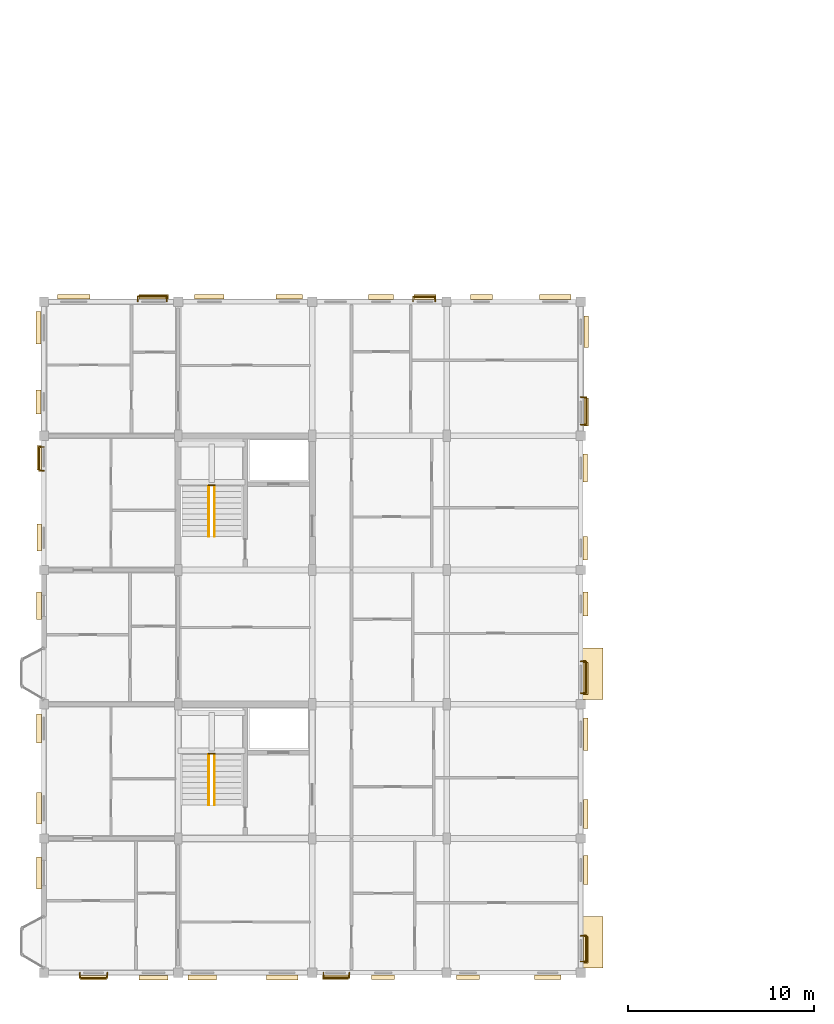
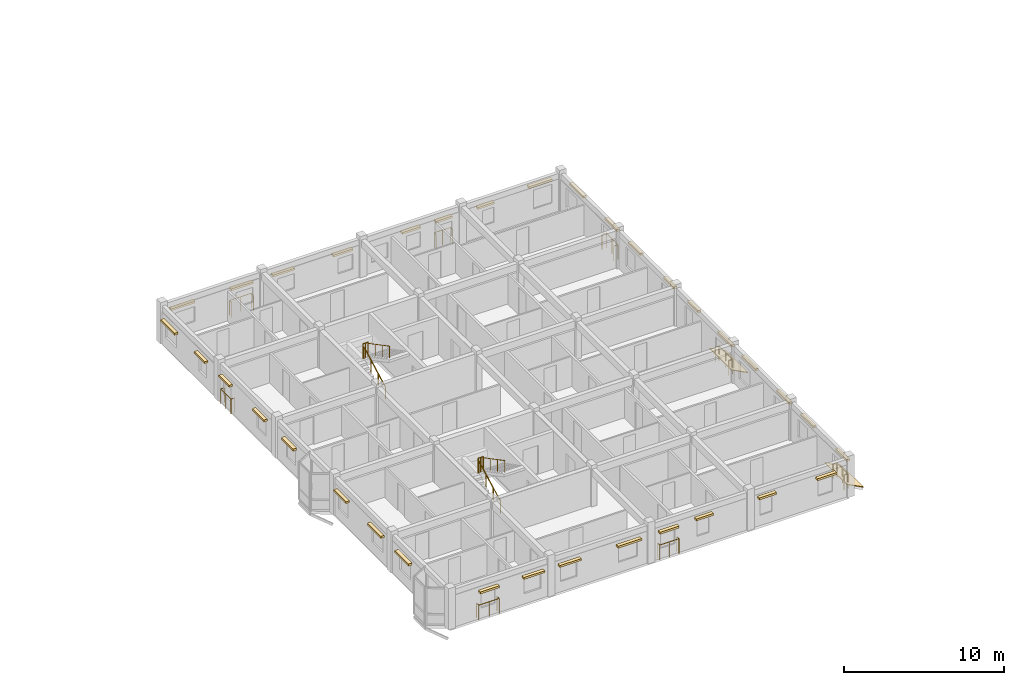
# One storey, part 33 of 38: 36 coverings, 14 railings.
"""IFC4 building model written with IfcOpenShell, lengths in metres."""

from ifc_helpers import new_model, si_unit, direction, frame, origin, origin_2d, place, context, subcontext, project, spatial, polyline, rectangle, circle, outline, extrude, material, layer, layer_set, type_object, element, save


model = new_model("IFC4")

# Units and contexts
model_context = context("Model", 3, precision=1e-05, world=origin(), true_north=direction((0.0, 1.0)))
body_context = subcontext(model_context, "Body", "Model", "MODEL_VIEW")
ifc_project = project(units=[si_unit("LENGTHUNIT", "METRE"), si_unit("AREAUNIT", "SQUARE_METRE"), si_unit("VOLUMEUNIT", "CUBIC_METRE"), si_unit("PLANEANGLEUNIT", "RADIAN"), si_unit("MASSUNIT", "GRAM", prefix="KILO"), si_unit("THERMODYNAMICTEMPERATUREUNIT", "KELVIN"), si_unit("POWERUNIT", "WATT")], contexts=[model_context])

# Site, building, storey
site_placement = place(None, origin())
site = spatial("IfcSite", under=ifc_project, at=site_placement, CompositionType="ELEMENT")
building_placement = place(site_placement, origin())
building = spatial("IfcBuilding", under=site, at=building_placement, Name="Tavuni Mirador Residences", CompositionType="ELEMENT")
storey_placement = place(building_placement, frame((0.0, 0.0, 32.85009765625)))
storey = spatial("IfcBuildingStorey", under=building, at=storey_placement, Name="L10", CompositionType="ELEMENT", Elevation=32.85009765625)

# Coverings
ifc_material_1 = material(Name="Natural coral limestone", Category="masonry")
ifc_layer_1 = layer(ifc_material_1, 0.054931640625, Name="Natural coral limestone", Category="masonry")
ifc_layer_set_1 = layer_set([ifc_layer_1], Name="Natural coral limestone")
covering_type_1 = type_object("IfcCoveringType", Name="CVT-CLAD-CORAL", PredefinedType="CLADDING", material=ifc_layer_set_1)
covering_1_placement = place(storey_placement, frame((6.264892578125, 6.93310546875, 2.06494140625), z_axis=(0.0, 0.0, 1.0), x_axis=(1.0, 0.0, 0.0)))
element("IfcCovering", 1, at=covering_1_placement, inside=storey, type_object=covering_type_1, Name="HOOD-0211", PredefinedType="CLADDING", context=body_context, shape_type="SweptSolid", body=[
    extrude(rectangle(XDim=1.3798828125, YDim=0.25, at=origin_2d()), origin(), (0.0, 0.0, 1.0), 0.14990234375),
])
for number, where, z_axis, x_axis, name in (
    (2, (9.47509765625, 6.93310546875, 2.06494140625), (0.0, 0.0, 1.0), (1.0, 0.0, 0.0), "HOOD-0212"),
    (3, (12.10009765625, 6.9404296875, 2.06494140625), (0.0, 0.0, 1.0), (1.0, 0.0, 0.0), "HOOD-0213"),
):
    element("IfcCovering", number, at=place(storey_placement, frame(where, z_axis=z_axis, x_axis=x_axis)), inside=storey, type_object=covering_type_1, Name=name, PredefinedType="CLADDING", context=body_context, shape_type="SweptSolid", body=[
        extrude(rectangle(XDim=1.5400390625, YDim=0.25, at=origin_2d()), origin(), (0.0, 0.0, 1.0), 0.14990234375),
    ])
covering_2_placement = place(storey_placement, frame((16.3798828125, 6.9404296875, 2.06494140625), z_axis=(0.0, 0.0, 1.0), x_axis=(1.0, 0.0, 0.0)))
element("IfcCovering", 4, at=covering_2_placement, inside=storey, type_object=covering_type_1, Name="HOOD-0214", PredefinedType="CLADDING", context=body_context, shape_type="SweptSolid", body=[
    extrude(rectangle(XDim=1.699951171875, YDim=0.25, at=origin_2d()), origin(), (0.0, 0.0, 1.0), 0.14990234375),
])
covering_3_placement = place(storey_placement, frame((19.2451171875, 6.950439453125, 2.06494140625), z_axis=(0.0, 0.0, 1.0), x_axis=(1.0, 0.0, 0.0)))
element("IfcCovering", 5, at=covering_3_placement, inside=storey, type_object=covering_type_1, Name="HOOD-0215", PredefinedType="CLADDING", context=body_context, shape_type="SweptSolid", body=[
    extrude(rectangle(XDim=1.3798828125, YDim=0.25, at=origin_2d()), origin(), (0.0, 0.0, 1.0), 0.14990234375),
])
for number, where, z_axis, x_axis, name in (
    (6, (21.800048828125, 6.950439453125, 2.1650390625), (0.0, 0.0, 1.0), (1.0, 0.0, 0.0), "HOOD-0216"),
    (7, (26.35009765625, 6.95556640625, 2.1650390625), (0.0, 0.0, 1.0), (1.0, 0.0, 0.0), "HOOD-0217"),
):
    element("IfcCovering", number, at=place(storey_placement, frame(where, z_axis=z_axis, x_axis=x_axis)), inside=storey, type_object=covering_type_1, Name=name, PredefinedType="CLADDING", context=body_context, shape_type="SweptSolid", body=[
        extrude(rectangle(XDim=1.239990234375, YDim=0.25, at=origin_2d()), origin(), (0.0, 0.0, 1.0), 0.14990234375),
    ])
for number, where, z_axis, x_axis, name in (
    (8, (30.6298828125, 6.95556640625, 2.1650390625), (0.0, 0.0, 1.0), (1.0, 0.0, 0.0), "HOOD-0218"),
    (9, (32.6669921875, 8.429931640625, 2.1650390625), (0.0, 0.0, 1.0), (0.0, 1.0, 0.0), "HOOD-0219"),
):
    element("IfcCovering", number, at=place(storey_placement, frame(where, z_axis=z_axis, x_axis=x_axis)), inside=storey, type_object=covering_type_1, Name=name, PredefinedType="CLADDING", context=body_context, shape_type="SweptSolid", body=[
        extrude(rectangle(XDim=1.39990234375, YDim=0.25, at=origin_2d()), origin(), (0.0, 0.0, 1.0), 0.14990234375),
    ])
for number, where, z_axis, x_axis, name in (
    (10, (32.6669921875, 12.7099609375, 2.1650390625), (0.0, 0.0, 1.0), (0.0, 1.0, 0.0), "HOOD-0220"),
    (11, (32.659423828125, 15.7099609375, 2.1650390625), (0.0, 0.0, 1.0), (0.0, 1.0, 0.0), "HOOD-0221"),
):
    element("IfcCovering", number, at=place(storey_placement, frame(where, z_axis=z_axis, x_axis=x_axis)), inside=storey, type_object=covering_type_1, Name=name, PredefinedType="CLADDING", context=body_context, shape_type="SweptSolid", body=[
        extrude(rectangle(XDim=1.56005859375, YDim=0.25, at=origin_2d()), origin(), (0.0, 0.0, 1.0), 0.14990234375),
    ])
for number, where, z_axis, x_axis, name in (
    (12, (32.659423828125, 19.989990234375, 2.1650390625), (0.0, 0.0, 1.0), (0.0, 1.0, 0.0), "HOOD-0222"),
    (13, (32.6494140625, 22.989990234375, 2.1650390625), (0.0, 0.0, 1.0), (0.0, 1.0, 0.0), "HOOD-0223"),
):
    element("IfcCovering", number, at=place(storey_placement, frame(where, z_axis=z_axis, x_axis=x_axis)), inside=storey, type_object=covering_type_1, Name=name, PredefinedType="CLADDING", context=body_context, shape_type="SweptSolid", body=[
        extrude(rectangle(XDim=1.719970703125, YDim=0.25, at=origin_2d()), origin(), (0.0, 0.0, 1.0), 0.14990234375),
    ])
for number, where, z_axis, x_axis, name in (
    (14, (32.6494140625, 26.969970703125, 2.244873046875), (0.0, 0.0, 1.0), (0.0, 1.0, 0.0), "HOOD-0224"),
    (15, (32.64453125, 29.969970703125, 2.244873046875), (0.0, 0.0, 1.0), (0.0, 1.0, 0.0), "HOOD-0225"),
):
    element("IfcCovering", number, at=place(storey_placement, frame(where, z_axis=z_axis, x_axis=x_axis)), inside=storey, type_object=covering_type_1, Name=name, PredefinedType="CLADDING", context=body_context, shape_type="SweptSolid", body=[
        extrude(rectangle(XDim=1.280029296875, YDim=0.25, at=origin_2d()), origin(), (0.0, 0.0, 1.0), 0.14990234375),
    ])
for number, where, z_axis, x_axis, name in (
    (16, (32.64453125, 34.27490234375, 2.244873046875), (0.0, 0.0, 1.0), (0.0, 1.0, 0.0), "HOOD-0226"),
    (17, (32.68701171875, 37.27490234375, 2.244873046875), (0.0, 0.0, 1.0), (0.0, 1.0, 0.0), "HOOD-0227"),
):
    element("IfcCovering", number, at=place(storey_placement, frame(where, z_axis=z_axis, x_axis=x_axis)), inside=storey, type_object=covering_type_1, Name=name, PredefinedType="CLADDING", context=body_context, shape_type="SweptSolid", body=[
        extrude(rectangle(XDim=1.489990234375, YDim=0.25, at=origin_2d()), origin(), (0.0, 0.0, 1.0), 0.14990234375),
    ])
for number, where, z_axis, x_axis, name in (
    (18, (32.68701171875, 41.574951171875, 2.244873046875), (0.0, 0.0, 1.0), (0.0, 1.0, 0.0), "HOOD-0228"),
    (19, (31.02490234375, 43.444580078125, 2.244873046875), (0.0, 0.0, 1.0), (-1.0, 0.0, 0.0), "HOOD-0229"),
):
    element("IfcCovering", number, at=place(storey_placement, frame(where, z_axis=z_axis, x_axis=x_axis)), inside=storey, type_object=covering_type_1, Name=name, PredefinedType="CLADDING", context=body_context, shape_type="SweptSolid", body=[
        extrude(rectangle(XDim=1.68994140625, YDim=0.25, at=origin_2d()), origin(), (0.0, 0.0, 1.0), 0.14990234375),
    ])
for number, where, z_axis, x_axis, name in (
    (20, (27.074951171875, 43.444580078125, 1.954833984375), (0.0, 0.0, 1.0), (-1.0, 0.0, 0.0), "HOOD-0230"),
    (21, (24.044921875, 43.449462890625, 1.954833984375), (0.0, 0.0, 1.0), (-1.0, 0.0, 0.0), "HOOD-0231"),
):
    element("IfcCovering", number, at=place(storey_placement, frame(where, z_axis=z_axis, x_axis=x_axis)), inside=storey, type_object=covering_type_1, Name=name, PredefinedType="CLADDING", context=body_context, shape_type="SweptSolid", body=[
        extrude(rectangle(XDim=1.18994140625, YDim=0.25, at=origin_2d()), origin(), (0.0, 0.0, 1.0), 0.14990234375),
    ])
covering_4_placement = place(storey_placement, frame((21.68994140625, 43.449462890625, 1.954833984375), z_axis=(0.0, 0.0, 1.0), x_axis=(-1.0, 0.0, 0.0)))
element("IfcCovering", 22, at=covering_4_placement, inside=storey, type_object=covering_type_1, Name="HOOD-0232", PredefinedType="CLADDING", context=body_context, shape_type="SweptSolid", body=[
    extrude(rectangle(XDim=1.340087890625, YDim=0.25, at=origin_2d()), origin(), (0.0, 0.0, 1.0), 0.14990234375),
])
covering_5_placement = place(storey_placement, frame((16.760009765625, 43.45947265625, 1.954833984375), z_axis=(0.0, 0.0, 1.0), x_axis=(-1.0, 0.0, 0.0)))
element("IfcCovering", 23, at=covering_5_placement, inside=storey, type_object=covering_type_1, Name="HOOD-0233", PredefinedType="CLADDING", context=body_context, shape_type="SweptSolid", body=[
    extrude(rectangle(XDim=1.419921875, YDim=0.25, at=origin_2d()), origin(), (0.0, 0.0, 1.0), 0.14990234375),
])
for number, where, z_axis, x_axis, name in (
    (24, (12.47998046875, 43.45947265625, 1.954833984375), (0.0, 0.0, 1.0), (-1.0, 0.0, 0.0), "HOOD-0234"),
    (25, (9.47998046875, 43.467041015625, 1.954833984375), (0.0, 0.0, 1.0), (-1.0, 0.0, 0.0), "HOOD-0235"),
):
    element("IfcCovering", number, at=place(storey_placement, frame(where, z_axis=z_axis, x_axis=x_axis)), inside=storey, type_object=covering_type_1, Name=name, PredefinedType="CLADDING", context=body_context, shape_type="SweptSolid", body=[
        extrude(rectangle(XDim=1.580078125, YDim=0.25, at=origin_2d()), origin(), (0.0, 0.0, 1.0), 0.14990234375),
    ])
for number, where, z_axis, x_axis, name in (
    (26, (5.199951171875, 43.467041015625, 1.954833984375), (0.0, 0.0, 1.0), (-1.0, 0.0, 0.0), "HOOD-0236"),
    (27, (3.31298828125, 41.800048828125, 1.954833984375), (0.0, 0.0, 1.0), (0.0, -1.0, 0.0), "HOOD-0237"),
):
    element("IfcCovering", number, at=place(storey_placement, frame(where, z_axis=z_axis, x_axis=x_axis)), inside=storey, type_object=covering_type_1, Name=name, PredefinedType="CLADDING", context=body_context, shape_type="SweptSolid", body=[
        extrude(rectangle(XDim=1.739990234375, YDim=0.25, at=origin_2d()), origin(), (0.0, 0.0, 1.0), 0.14990234375),
    ])
for number, where, z_axis, x_axis, name in (
    (28, (3.31298828125, 37.820068359375, 2.06494140625), (0.0, 0.0, 1.0), (0.0, -1.0, 0.0), "HOOD-0238"),
    (29, (3.35546875, 34.820068359375, 2.06494140625), (0.0, 0.0, 1.0), (0.0, -1.0, 0.0), "HOOD-0239"),
):
    element("IfcCovering", number, at=place(storey_placement, frame(where, z_axis=z_axis, x_axis=x_axis)), inside=storey, type_object=covering_type_1, Name=name, PredefinedType="CLADDING", context=body_context, shape_type="SweptSolid", body=[
        extrude(rectangle(XDim=1.300048828125, YDim=0.25, at=origin_2d()), origin(), (0.0, 0.0, 1.0), 0.14990234375),
    ])
covering_6_placement = place(storey_placement, frame((3.35546875, 30.5400390625, 2.06494140625), z_axis=(0.0, 0.0, 1.0), x_axis=(0.0, -1.0, 0.0)))
element("IfcCovering", 30, at=covering_6_placement, inside=storey, type_object=covering_type_1, Name="HOOD-0240", PredefinedType="CLADDING", context=body_context, shape_type="SweptSolid", body=[
    extrude(rectangle(XDim=1.4599609375, YDim=0.25, at=origin_2d()), origin(), (0.0, 0.0, 1.0), 0.14990234375),
])
covering_7_placement = place(storey_placement, frame((3.345458984375, 26.8798828125, 2.06005859375), z_axis=(0.0, 0.0, 1.0), x_axis=(0.0, -1.0, 0.0)))
element("IfcCovering", 31, at=covering_7_placement, inside=storey, type_object=covering_type_1, Name="HOOD-0241", PredefinedType="CLADDING", context=body_context, shape_type="SweptSolid", body=[
    extrude(rectangle(XDim=1.47998046875, YDim=0.260009765625, at=origin_2d()), origin(), (0.0, 0.0, 1.0), 0.159912109375),
])
covering_8_placement = place(storey_placement, frame((3.340576171875, 20.300048828125, 2.06494140625), z_axis=(0.0, 0.0, 1.0), x_axis=(0.0, -1.0, 0.0)))
element("IfcCovering", 32, at=covering_8_placement, inside=storey, type_object=covering_type_1, Name="HOOD-0242", PredefinedType="CLADDING", context=body_context, shape_type="SweptSolid", body=[
    extrude(rectangle(XDim=1.5400390625, YDim=0.25, at=origin_2d()), origin(), (0.0, 0.0, 1.0), 0.14990234375),
])
covering_9_placement = place(storey_placement, frame((3.340576171875, 16.02001953125, 2.06494140625), z_axis=(0.0, 0.0, 1.0), x_axis=(0.0, -1.0, 0.0)))
element("IfcCovering", 33, at=covering_9_placement, inside=storey, type_object=covering_type_1, Name="HOOD-0243", PredefinedType="CLADDING", context=body_context, shape_type="SweptSolid", body=[
    extrude(rectangle(XDim=1.699951171875, YDim=0.25, at=origin_2d()), origin(), (0.0, 0.0, 1.0), 0.14990234375),
])
covering_10_placement = place(storey_placement, frame((3.327880859375, 12.550048828125, 2.06005859375), z_axis=(0.0, 0.0, 1.0), x_axis=(0.0, -1.0, 0.0)))
element("IfcCovering", 34, at=covering_10_placement, inside=storey, type_object=covering_type_1, Name="HOOD-0244", PredefinedType="CLADDING", context=body_context, shape_type="SweptSolid", body=[
    extrude(rectangle(XDim=1.719970703125, YDim=0.260009765625, at=origin_2d()), origin(), (0.0, 0.0, 1.0), 0.159912109375),
])
ifc_material_2 = material(Name="Glazed ceramic roof tile", Category="masonry")
ifc_layer_2 = layer(ifc_material_2, 0.044921875, Name="Glazed ceramic roof tile", Category="masonry")
ifc_layer_set_2 = layer_set([ifc_layer_2], Name="Glazed ceramic roof tile")
covering_type_2 = type_object("IfcCoveringType", Name="CVT-ROOF-TILE", PredefinedType="ROOFING", material=ifc_layer_set_2)
for number, where, z_axis, x_axis, name in (
    (35, (32.39990234375, 7.449951171875, 0.664794921875), (0.458886902548, 0.0, 0.888494688037), (0.0, 1.0, 0.0), "COV-RF-MIR-A-E1"),
    (36, (32.39990234375, 21.85009765625, 0.664794921875), (0.458886902548, 0.0, 0.888494688037), (0.0, 1.0, 0.0), "COV-RF-MIR-A-E2"),
):
    element("IfcCovering", number, at=place(storey_placement, frame(where, z_axis=z_axis, x_axis=x_axis)), inside=storey, type_object=covering_type_2, Name=name, PredefinedType="ROOFING", context=body_context, shape_type="SweptSolid", body=[
        extrude(outline(polyline([(0.0, 0.0), (2.77001953125, 0.0), (2.77001953125, -1.3508187822165745), (0.0, -1.3508187822165745), (0.0, 0.0)])), origin(), (0.0, 0.0, -1.0), 0.044921875),
    ])

# Railings
ifc_material_3 = material(Name="Structural steel S355", Category="steel")
railing_type_1 = type_object("IfcRailingType", Name="RT-BL1150", PredefinedType="BALUSTRADE", material=ifc_material_3)
railing_1_placement = place(storey_placement, frame((5.52490234375, 7.199951171875, 0.039794921875)))
element("IfcRailing", 37, at=railing_1_placement, inside=storey, type_object=railing_type_1, Name="BALC-BLK-A-L10-S00", PredefinedType="BALUSTRADE", context=body_context, shape_type="SweptSolid", body=[
    extrude(circle(Radius=0.02392578125, at=origin_2d()), frame((0.0, 0.0, 1.1259765625), z_axis=(0.0, -1.0, 0.0), x_axis=(1.0, 0.0, 0.0)), (0.0, 0.0, 1.0), 0.284912109375),
    extrude(circle(Radius=0.02392578125, at=origin_2d()), frame((0.0, -0.284912109375, 1.1259765625), z_axis=(1.0, 0.0, 0.0), x_axis=(0.0, 1.0, 0.0)), (0.0, 0.0, 1.0), 1.47998046875),
    extrude(circle(Radius=0.02392578125, at=origin_2d()), frame((1.47998046875, -0.284912109375, 1.1259765625), z_axis=(0.0, 1.0, 0.0), x_axis=(-1.0, 0.0, 0.0)), (0.0, 0.0, 1.0), 0.284912109375),
    extrude(circle(Radius=0.02099609375, at=origin_2d()), origin(), (0.0, 0.0, 1.0), 1.101806640625),
    extrude(circle(Radius=0.02099609375, at=origin_2d()), frame((0.0, -0.284912109375, 0.0)), (0.0, 0.0, 1.0), 1.101806640625),
    extrude(circle(Radius=0.02099609375, at=origin_2d()), frame((0.739990234375, -0.284912109375, 0.0)), (0.0, 0.0, 1.0), 1.101806640625),
    extrude(circle(Radius=0.02099609375, at=origin_2d()), frame((1.47998046875, -0.284912109375, 0.0)), (0.0, 0.0, 1.0), 1.101806640625),
    extrude(circle(Radius=0.02099609375, at=origin_2d()), frame((1.47998046875, 0.0, 0.0)), (0.0, 0.0, 1.0), 1.101806640625),
])
railing_2_placement = place(storey_placement, frame((18.60009765625, 7.199951171875, 0.039794921875)))
element("IfcRailing", 38, at=railing_2_placement, inside=storey, type_object=railing_type_1, Name="BALC-BLK-A-L10-S02", PredefinedType="BALUSTRADE", context=body_context, shape_type="SweptSolid", body=[
    extrude(circle(Radius=0.02392578125, at=origin_2d()), frame((0.0, 0.0, 1.1259765625), z_axis=(0.0, -1.0, 0.0), x_axis=(1.0, 0.0, 0.0)), (0.0, 0.0, 1.0), 0.267333984375),
    extrude(circle(Radius=0.02392578125, at=origin_2d()), frame((0.0, -0.267333984375, 1.1259765625), z_axis=(1.0, 0.0, 0.0), x_axis=(0.0, 1.0, 0.0)), (0.0, 0.0, 1.0), 1.385009765625),
    extrude(circle(Radius=0.02392578125, at=origin_2d()), frame((1.385009765625, -0.267333984375, 1.1259765625), z_axis=(0.0, 1.0, 0.0), x_axis=(-1.0, 0.0, 0.0)), (0.0, 0.0, 1.0), 0.267333984375),
    extrude(circle(Radius=0.02099609375, at=origin_2d()), origin(), (0.0, 0.0, 1.0), 1.101806640625),
    extrude(circle(Radius=0.02099609375, at=origin_2d()), frame((0.0, -0.267333984375, 0.0)), (0.0, 0.0, 1.0), 1.101806640625),
    extrude(circle(Radius=0.02099609375, at=origin_2d()), frame((0.6923828125, -0.267333984375, 0.0)), (0.0, 0.0, 1.0), 1.101806640625),
    extrude(circle(Radius=0.02099609375, at=origin_2d()), frame((1.385009765625, -0.267333984375, 0.0)), (0.0, 0.0, 1.0), 1.101806640625),
    extrude(circle(Radius=0.02099609375, at=origin_2d()), frame((1.385009765625, 0.0, 0.0)), (0.0, 0.0, 1.0), 1.101806640625),
])
railing_3_placement = place(storey_placement, frame((32.39990234375, 7.800048828125, 0.039794921875)))
element("IfcRailing", 39, at=railing_3_placement, inside=storey, type_object=railing_type_1, Name="BALC-BLK-A-L10-E00", PredefinedType="BALUSTRADE", context=body_context, shape_type="SweptSolid", body=[
    extrude(circle(Radius=0.02392578125, at=origin_2d()), frame((0.0, 0.0, 1.1259765625), z_axis=(1.0, 0.0, 0.0), x_axis=(0.0, 1.0, 0.0)), (0.0, 0.0, 1.0), 0.28515625),
    extrude(circle(Radius=0.02392578125, at=origin_2d()), frame((0.28515625, 0.0, 1.1259765625), z_axis=(0.0, 1.0, 0.0), x_axis=(-1.0, 0.0, 0.0)), (0.0, 0.0, 1.0), 1.3798828125),
    extrude(circle(Radius=0.02392578125, at=origin_2d()), frame((0.28515625, 1.3798828125, 1.1259765625), z_axis=(-1.0, 0.0, 0.0), x_axis=(0.0, -1.0, 0.0)), (0.0, 0.0, 1.0), 0.28515625),
    extrude(circle(Radius=0.02099609375, at=origin_2d()), origin(), (0.0, 0.0, 1.0), 1.101806640625),
    extrude(circle(Radius=0.02099609375, at=origin_2d()), frame((0.28515625, 0.0, 0.0)), (0.0, 0.0, 1.0), 1.101806640625),
    extrude(circle(Radius=0.02099609375, at=origin_2d()), frame((0.28515625, 0.68994140625, 0.0)), (0.0, 0.0, 1.0), 1.101806640625),
    extrude(circle(Radius=0.02099609375, at=origin_2d()), frame((0.28515625, 1.3798828125, 0.0)), (0.0, 0.0, 1.0), 1.101806640625),
    extrude(circle(Radius=0.02099609375, at=origin_2d()), frame((0.0, 1.3798828125, 0.0)), (0.0, 0.0, 1.0), 1.101806640625),
])
railing_4_placement = place(storey_placement, frame((32.39990234375, 22.199951171875, 0.039794921875)))
element("IfcRailing", 40, at=railing_4_placement, inside=storey, type_object=railing_type_1, Name="BALC-BLK-A-L10-E02", PredefinedType="BALUSTRADE", context=body_context, shape_type="SweptSolid", body=[
    extrude(circle(Radius=0.02392578125, at=origin_2d()), frame((0.0, 0.0, 1.1259765625), z_axis=(1.0, 0.0, 0.0), x_axis=(0.0, 1.0, 0.0)), (0.0, 0.0, 1.0), 0.267578125),
    extrude(circle(Radius=0.02392578125, at=origin_2d()), frame((0.267578125, 0.0, 1.1259765625), z_axis=(0.0, 1.0, 0.0), x_axis=(-1.0, 0.0, 0.0)), (0.0, 0.0, 1.0), 1.699951171875),
    extrude(circle(Radius=0.02392578125, at=origin_2d()), frame((0.267578125, 1.699951171875, 1.1259765625), z_axis=(-1.0, 0.0, 0.0), x_axis=(0.0, -1.0, 0.0)), (0.0, 0.0, 1.0), 0.267578125),
    extrude(circle(Radius=0.02099609375, at=origin_2d()), origin(), (0.0, 0.0, 1.0), 1.101806640625),
    extrude(circle(Radius=0.02099609375, at=origin_2d()), frame((0.267578125, 0.0, 0.0)), (0.0, 0.0, 1.0), 1.101806640625),
    extrude(circle(Radius=0.02099609375, at=origin_2d()), frame((0.267578125, 0.85009765625, 0.0)), (0.0, 0.0, 1.0), 1.101806640625),
    extrude(circle(Radius=0.02099609375, at=origin_2d()), frame((0.267578125, 1.699951171875, 0.0)), (0.0, 0.0, 1.0), 1.101806640625),
    extrude(circle(Radius=0.02099609375, at=origin_2d()), frame((0.0, 1.699951171875, 0.0)), (0.0, 0.0, 1.0), 1.101806640625),
])
railing_5_placement = place(storey_placement, frame((32.39990234375, 36.60009765625, 0.039794921875)))
element("IfcRailing", 41, at=railing_5_placement, inside=storey, type_object=railing_type_1, Name="BALC-BLK-A-L10-E04", PredefinedType="BALUSTRADE", context=body_context, shape_type="SweptSolid", body=[
    extrude(circle(Radius=0.02392578125, at=origin_2d()), frame((0.0, 0.0, 1.1259765625), z_axis=(1.0, 0.0, 0.0), x_axis=(0.0, 1.0, 0.0)), (0.0, 0.0, 1.0), 0.30517578125),
    extrude(circle(Radius=0.02392578125, at=origin_2d()), frame((0.30517578125, 0.0, 1.1259765625), z_axis=(0.0, 1.0, 0.0), x_axis=(-1.0, 0.0, 0.0)), (0.0, 0.0, 1.0), 1.469970703125),
    extrude(circle(Radius=0.02392578125, at=origin_2d()), frame((0.30517578125, 1.469970703125, 1.1259765625), z_axis=(-1.0, 0.0, 0.0), x_axis=(0.0, -1.0, 0.0)), (0.0, 0.0, 1.0), 0.30517578125),
    extrude(circle(Radius=0.02099609375, at=origin_2d()), origin(), (0.0, 0.0, 1.0), 1.101806640625),
    extrude(circle(Radius=0.02099609375, at=origin_2d()), frame((0.30517578125, 0.0, 0.0)), (0.0, 0.0, 1.0), 1.101806640625),
    extrude(circle(Radius=0.02099609375, at=origin_2d()), frame((0.30517578125, 0.73486328125, 0.0)), (0.0, 0.0, 1.0), 1.101806640625),
    extrude(circle(Radius=0.02099609375, at=origin_2d()), frame((0.30517578125, 1.469970703125, 0.0)), (0.0, 0.0, 1.0), 1.101806640625),
    extrude(circle(Radius=0.02099609375, at=origin_2d()), frame((0.0, 1.469970703125, 0.0)), (0.0, 0.0, 1.0), 1.101806640625),
])
railing_6_placement = place(storey_placement, frame((24.60009765625, 43.199951171875, 0.039794921875)))
element("IfcRailing", 42, at=railing_6_placement, inside=storey, type_object=railing_type_1, Name="BALC-BLK-A-L10-N02", PredefinedType="BALUSTRADE", context=body_context, shape_type="SweptSolid", body=[
    extrude(circle(Radius=0.02392578125, at=origin_2d()), frame((0.0, 0.0, 1.1259765625), z_axis=(0.0, 1.0, 0.0), x_axis=(-1.0, 0.0, 0.0)), (0.0, 0.0, 1.0), 0.267578125),
    extrude(circle(Radius=0.02392578125, at=origin_2d()), frame((0.0, 0.267578125, 1.1259765625), z_axis=(-1.0, 0.0, 0.0), x_axis=(0.0, -1.0, 0.0)), (0.0, 0.0, 1.0), 1.2001953125),
    extrude(circle(Radius=0.02392578125, at=origin_2d()), frame((-1.2001953125, 0.267578125, 1.1259765625), z_axis=(0.0, -1.0, 0.0), x_axis=(1.0, 0.0, 0.0)), (0.0, 0.0, 1.0), 0.267578125),
    extrude(circle(Radius=0.02099609375, at=origin_2d()), origin(), (0.0, 0.0, 1.0), 1.101806640625),
    extrude(circle(Radius=0.02099609375, at=origin_2d()), frame((0.0, 0.267578125, 0.0)), (0.0, 0.0, 1.0), 1.101806640625),
    extrude(circle(Radius=0.02099609375, at=origin_2d()), frame((-0.60009765625, 0.267578125, 0.0)), (0.0, 0.0, 1.0), 1.101806640625),
    extrude(circle(Radius=0.02099609375, at=origin_2d()), frame((-1.2001953125, 0.267578125, 0.0)), (0.0, 0.0, 1.0), 1.101806640625),
    extrude(circle(Radius=0.02099609375, at=origin_2d()), frame((-1.2001953125, 0.0, 0.0)), (0.0, 0.0, 1.0), 1.101806640625),
])
railing_7_placement = place(storey_placement, frame((10.199951171875, 43.199951171875, 0.039794921875)))
element("IfcRailing", 43, at=railing_7_placement, inside=storey, type_object=railing_type_1, Name="BALC-BLK-A-L10-N00", PredefinedType="BALUSTRADE", context=body_context, shape_type="SweptSolid", body=[
    extrude(circle(Radius=0.02392578125, at=origin_2d()), frame((0.0, 0.0, 1.1259765625), z_axis=(0.0, 1.0, 0.0), x_axis=(-1.0, 0.0, 0.0)), (0.0, 0.0, 1.0), 0.28515625),
    extrude(circle(Radius=0.02392578125, at=origin_2d()), frame((0.0, 0.28515625, 1.1259765625), z_axis=(-1.0, 0.0, 0.0), x_axis=(0.0, -1.0, 0.0)), (0.0, 0.0, 1.0), 1.56005859375),
    extrude(circle(Radius=0.02392578125, at=origin_2d()), frame((-1.56005859375, 0.28515625, 1.1259765625), z_axis=(0.0, -1.0, 0.0), x_axis=(1.0, 0.0, 0.0)), (0.0, 0.0, 1.0), 0.28515625),
    extrude(circle(Radius=0.02099609375, at=origin_2d()), origin(), (0.0, 0.0, 1.0), 1.101806640625),
    extrude(circle(Radius=0.02099609375, at=origin_2d()), frame((0.0, 0.28515625, 0.0)), (0.0, 0.0, 1.0), 1.101806640625),
    extrude(circle(Radius=0.02099609375, at=origin_2d()), frame((-0.780029296875, 0.28515625, 0.0)), (0.0, 0.0, 1.0), 1.101806640625),
    extrude(circle(Radius=0.02099609375, at=origin_2d()), frame((-1.56005859375, 0.28515625, 0.0)), (0.0, 0.0, 1.0), 1.101806640625),
    extrude(circle(Radius=0.02099609375, at=origin_2d()), frame((-1.56005859375, 0.0, 0.0)), (0.0, 0.0, 1.0), 1.101806640625),
])
railing_8_placement = place(storey_placement, frame((3.60009765625, 35.39990234375, 0.039794921875)))
element("IfcRailing", 44, at=railing_8_placement, inside=storey, type_object=railing_type_1, Name="BALC-BLK-A-L10-W03", PredefinedType="BALUSTRADE", context=body_context, shape_type="SweptSolid", body=[
    extrude(circle(Radius=0.02392578125, at=origin_2d()), frame((0.0, 0.0, 1.1259765625), z_axis=(-1.0, 0.0, 0.0), x_axis=(0.0, -1.0, 0.0)), (0.0, 0.0, 1.0), 0.2626953125),
    extrude(circle(Radius=0.02392578125, at=origin_2d()), frame((-0.2626953125, 0.0, 1.1259765625), z_axis=(0.0, -1.0, 0.0), x_axis=(1.0, 0.0, 0.0)), (0.0, 0.0, 1.0), 1.27978515625),
    extrude(circle(Radius=0.02392578125, at=origin_2d()), frame((-0.2626953125, -1.27978515625, 1.1259765625), z_axis=(1.0, 0.0, 0.0), x_axis=(0.0, 1.0, 0.0)), (0.0, 0.0, 1.0), 0.2626953125),
    extrude(circle(Radius=0.02099609375, at=origin_2d()), origin(), (0.0, 0.0, 1.0), 1.101806640625),
    extrude(circle(Radius=0.02099609375, at=origin_2d()), frame((-0.2626953125, 0.0, 0.0)), (0.0, 0.0, 1.0), 1.101806640625),
    extrude(circle(Radius=0.02099609375, at=origin_2d()), frame((-0.2626953125, -0.639892578125, 0.0)), (0.0, 0.0, 1.0), 1.101806640625),
    extrude(circle(Radius=0.02099609375, at=origin_2d()), frame((-0.2626953125, -1.27978515625, 0.0)), (0.0, 0.0, 1.0), 1.101806640625),
    extrude(circle(Radius=0.02099609375, at=origin_2d()), frame((0.0, -1.27978515625, 0.0)), (0.0, 0.0, 1.0), 1.101806640625),
])
railing_type_2 = type_object("IfcRailingType", Name="RT-GR1120", PredefinedType="GUARDRAIL", material=ifc_material_3)
for number, where, name in (
    (45, (12.419921875, 18.93994140625, 1.574951171875), "GRD-HL-ST1-L10"),
    (46, (12.419921875, 33.340087890625, 1.574951171875), "GRD-HL-ST2-L10"),
):
    element("IfcRailing", number, at=place(storey_placement, frame(where)), inside=storey, type_object=railing_type_2, Name=name, PredefinedType="GUARDRAIL", context=body_context, shape_type="SweptSolid", body=[
        extrude(circle(Radius=0.02392578125, at=origin_2d()), frame((0.0, 0.0, 1.09619140625), z_axis=(1.0, 0.0, 0.0), x_axis=(0.0, 1.0, 0.0)), (0.0, 0.0, 1.0), 0.360107421875),
        extrude(circle(Radius=0.02099609375, at=origin_2d()), origin(), (0.0, 0.0, 1.0), 1.072021484375),
        extrude(circle(Radius=0.02099609375, at=origin_2d()), frame((0.18017578125, 0.0, 0.0)), (0.0, 0.0, 1.0), 1.072021484375),
        extrude(circle(Radius=0.02099609375, at=origin_2d()), frame((0.360107421875, 0.0, 0.0)), (0.0, 0.0, 1.0), 1.072021484375),
    ])
railing_type_3 = type_object("IfcRailingType", Name="RT-HR920", PredefinedType="HANDRAIL", material=ifc_material_3)
railing_9_placement = place(storey_placement, frame((12.449951171875, 16.199951171875, 0.157470703125)))
element("IfcRailing", 47, at=railing_9_placement, inside=storey, type_object=railing_type_3, Name="HR-ST1-L10-F1", PredefinedType="HANDRAIL", context=body_context, shape_type="SweptSolid", body=[
    extrude(circle(Radius=0.02392578125, at=origin_2d()), frame((0.0, 0.0, 0.89599609375), z_axis=(0.0, 0.885397079081, 0.464835468048), x_axis=(-1.0, 0.0, 0.0)), (0.0, 0.0, 1.0), 3.04931640625),
    extrude(circle(Radius=0.02099609375, at=origin_2d()), origin(), (0.0, 0.0, 1.0), 0.871826171875),
    extrude(circle(Radius=0.02099609375, at=origin_2d()), frame((0.0, 0.89990234375, 0.472412109375)), (0.0, 0.0, 1.0), 0.871826171875),
    extrude(circle(Radius=0.02099609375, at=origin_2d()), frame((0.0, 1.800048828125, 0.945068359375)), (0.0, 0.0, 1.0), 0.871826171875),
    extrude(circle(Radius=0.02099609375, at=origin_2d()), frame((0.0, 2.699951171875, 1.41748046875)), (0.0, 0.0, 1.0), 0.871826171875),
])
railing_10_placement = place(storey_placement, frame((12.75, 18.89990234375, 1.732421875)))
element("IfcRailing", 48, at=railing_10_placement, inside=storey, type_object=railing_type_3, Name="HR-ST1-L10-F2", PredefinedType="HANDRAIL", context=body_context, shape_type="SweptSolid", body=[
    extrude(circle(Radius=0.02392578125, at=origin_2d()), frame((0.0, 0.0, 0.89599609375), z_axis=(0.0, -0.885397079081, 0.464835468048), x_axis=(1.0, 0.0, 0.0)), (0.0, 0.0, 1.0), 3.04931640625),
    extrude(circle(Radius=0.02099609375, at=origin_2d()), origin(), (0.0, 0.0, 1.0), 0.871826171875),
    extrude(circle(Radius=0.02099609375, at=origin_2d()), frame((0.0, -0.89990234375, 0.472412109375)), (0.0, 0.0, 1.0), 0.871826171875),
    extrude(circle(Radius=0.02099609375, at=origin_2d()), frame((0.0, -1.800048828125, 0.945068359375)), (0.0, 0.0, 1.0), 0.871826171875),
    extrude(circle(Radius=0.02099609375, at=origin_2d()), frame((0.0, -2.699951171875, 1.41748046875)), (0.0, 0.0, 1.0), 0.871826171875),
])
railing_11_placement = place(storey_placement, frame((12.449951171875, 30.60009765625, 0.157470703125)))
element("IfcRailing", 49, at=railing_11_placement, inside=storey, type_object=railing_type_3, Name="HR-ST2-L10-F1", PredefinedType="HANDRAIL", context=body_context, shape_type="SweptSolid", body=[
    extrude(circle(Radius=0.02392578125, at=origin_2d()), frame((0.0, 0.0, 0.89599609375), z_axis=(0.0, 0.885397079081, 0.464835468048), x_axis=(-1.0, 0.0, 0.0)), (0.0, 0.0, 1.0), 3.04931640625),
    extrude(circle(Radius=0.02099609375, at=origin_2d()), origin(), (0.0, 0.0, 1.0), 0.871826171875),
    extrude(circle(Radius=0.02099609375, at=origin_2d()), frame((0.0, 0.89990234375, 0.472412109375)), (0.0, 0.0, 1.0), 0.871826171875),
    extrude(circle(Radius=0.02099609375, at=origin_2d()), frame((0.0, 1.800048828125, 0.945068359375)), (0.0, 0.0, 1.0), 0.871826171875),
    extrude(circle(Radius=0.02099609375, at=origin_2d()), frame((0.0, 2.699951171875, 1.41748046875)), (0.0, 0.0, 1.0), 0.871826171875),
])
railing_12_placement = place(storey_placement, frame((12.75, 33.300048828125, 1.732421875)))
element("IfcRailing", 50, at=railing_12_placement, inside=storey, type_object=railing_type_3, Name="HR-ST2-L10-F2", PredefinedType="HANDRAIL", context=body_context, shape_type="SweptSolid", body=[
    extrude(circle(Radius=0.02392578125, at=origin_2d()), frame((0.0, 0.0, 0.89599609375), z_axis=(0.0, -0.885397079081, 0.464835468048), x_axis=(1.0, 0.0, 0.0)), (0.0, 0.0, 1.0), 3.04931640625),
    extrude(circle(Radius=0.02099609375, at=origin_2d()), origin(), (0.0, 0.0, 1.0), 0.871826171875),
    extrude(circle(Radius=0.02099609375, at=origin_2d()), frame((0.0, -0.89990234375, 0.472412109375)), (0.0, 0.0, 1.0), 0.871826171875),
    extrude(circle(Radius=0.02099609375, at=origin_2d()), frame((0.0, -1.800048828125, 0.945068359375)), (0.0, 0.0, 1.0), 0.871826171875),
    extrude(circle(Radius=0.02099609375, at=origin_2d()), frame((0.0, -2.699951171875, 1.41748046875)), (0.0, 0.0, 1.0), 0.871826171875),
])

save(model, "model.ifc")
